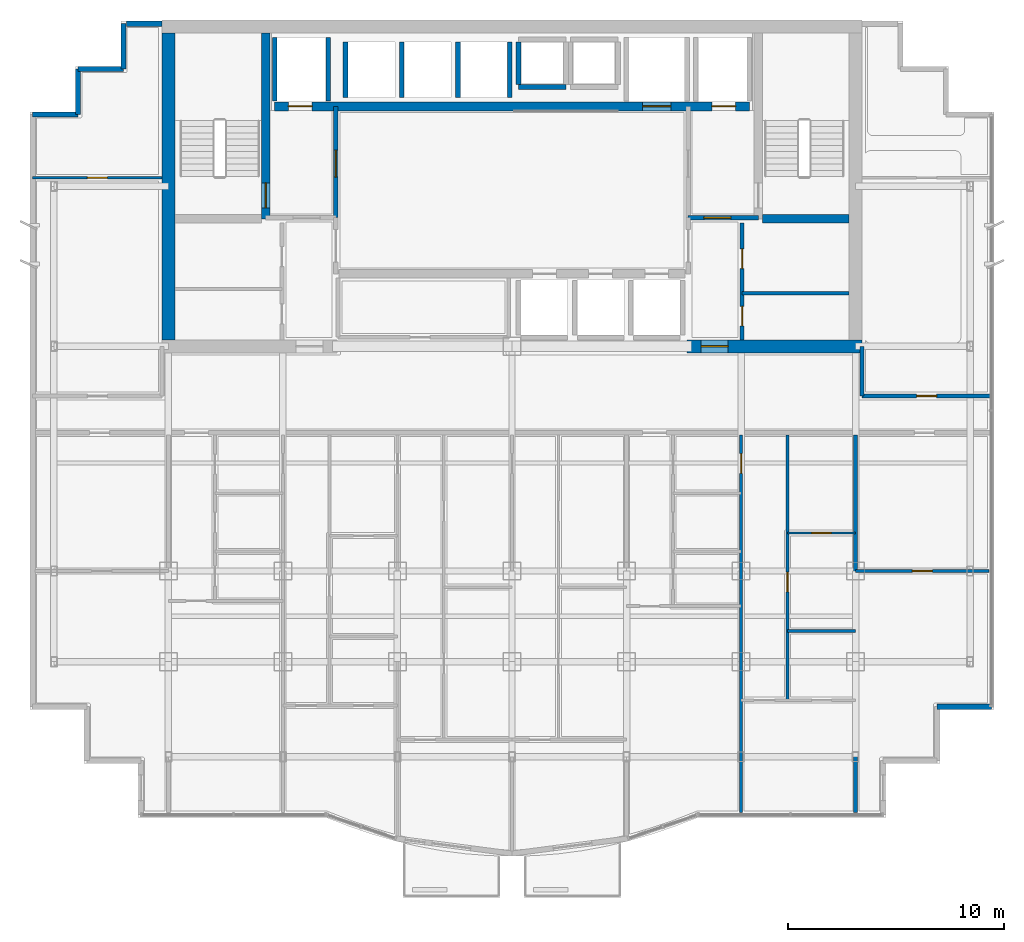
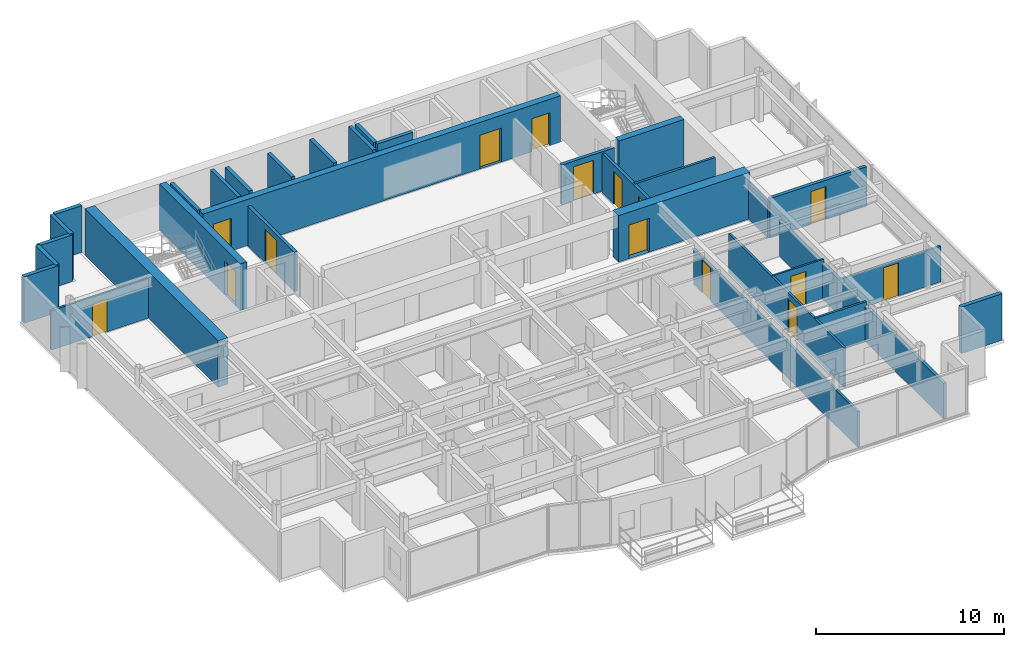
# One storey, part 10 of 13: 32 walls, 15 doors, 15 openings.
"""IFC4 building model written with IfcOpenShell, lengths in metres."""

from ifc_helpers import new_model, si_unit, direction, frame, frame_2d, origin, place, context, subcontext, project, spatial, rectangle, extrude, material, layer, layer_set, type_object, element, fill, save


model = new_model("IFC4")

# Units and contexts
model_context = context("Model", 3, precision=1e-05, world=origin(), true_north=direction((0.0, 1.0)))
body_context = subcontext(model_context, "Body", "Model", "MODEL_VIEW")
ifc_project = project(units=[si_unit("LENGTHUNIT", "METRE"), si_unit("AREAUNIT", "SQUARE_METRE"), si_unit("VOLUMEUNIT", "CUBIC_METRE"), si_unit("PLANEANGLEUNIT", "RADIAN"), si_unit("MASSUNIT", "GRAM", prefix="KILO")], contexts=[model_context])

# Site, building, storey
site_placement = place(None, origin())
site = spatial("IfcSite", under=ifc_project, at=site_placement, CompositionType="ELEMENT")
building_placement = place(site_placement, origin())
building = spatial("IfcBuilding", under=site, at=building_placement, Name="Qianlan Lanfeng Residences", CompositionType="ELEMENT")
storey_placement = place(building_placement, frame((0.0, 0.0, 182.10009765625)))
storey = spatial("IfcBuildingStorey", under=building, at=storey_placement, Name="L50", CompositionType="ELEMENT", Elevation=182.10009765625)

# Wall, opening, door
ifc_material_1 = material(Name="Concrete C56", Category="concrete")
ifc_layer_1 = layer(ifc_material_1, 0.39990234375)
ifc_layer_set_1 = layer_set([ifc_layer_1], Name="Concrete C56")
wall_type_1 = type_object("IfcWallType", Name="CW-RC-400", PredefinedType="SHEAR", material=ifc_layer_set_1)
wall_1_placement = place(storey_placement, frame((15.10009765625, 31.10009765625, 0.0), z_axis=(0.0, 0.0, 1.0), x_axis=(0.0, 1.0, 0.0)))
wall_1 = element("IfcWall", 1, at=wall_1_placement, inside=storey, type_object=wall_type_1, Name="L50 Core Shear Wall ST1E", PredefinedType="SHEAR", context=body_context, shape_type="SweptSolid", body=[
    extrude(rectangle(XDim=8.599853515625, YDim=0.39990234375, at=frame_2d((4.2998046875, 0.0))), origin(), (0.0, 0.0, 1.0), 3.02978515625),
])
opening_1_placement = place(wall_1_placement, frame((0.510009765625, 0.0, 0.0)))
opening_1 = element("IfcOpeningElement", 2, at=opening_1_placement, cuts=wall_1, Name="Opening L50-D07", PredefinedType="OPENING", context=body_context, shape_type="SweptSolid", body=[
    extrude(rectangle(XDim=1.14990234375, YDim=2.199951171875, at=frame_2d((0.574951171875, 1.10009765625))), frame((0.0, 0.2099609375, 0.0), z_axis=(0.0, -1.0, 0.0), x_axis=(1.0, 0.0, 0.0)), (0.0, 0.0, 1.0), 0.419921875),
])
ifc_material_2 = material(Name="Painted Galvanised Steel Fire Door", Category="steel")
door_type_1 = type_object("IfcDoorType", Name="DT-ST1", OperationType="NOTDEFINED", PredefinedType="DOOR", material=ifc_material_2)
door_1_placement = place(opening_1_placement, frame((1.14990234375, 0.0, 0.0), z_axis=(0.0, 0.0, 1.0), x_axis=(-1.0, 0.0, 0.0)))
door_1 = element("IfcDoor", 3, at=door_1_placement, inside=storey, type_object=door_type_1, Name="L50 Exit Stair ST-1 Door L50-D07 (DT-ST1)", OperationType="SINGLE_SWING_RIGHT", OverallHeight=2.199951171875, OverallWidth=1.14990234375, PredefinedType="DOOR", context=body_context, shape_type="SweptSolid", body=[
    extrude(rectangle(XDim=1.14990234375, YDim=2.199951171875, at=frame_2d((0.574951171875, 1.10009765625))), frame((0.0, 0.02490234375, 0.0), z_axis=(0.0, -1.0, 0.0), x_axis=(1.0, 0.0, 0.0)), (0.0, 0.0, 1.0), 0.050048828125),
])
fill(opening_1, door_1)

# Wall
wall_2_placement = place(storey_placement, frame((38.10009765625, 31.10009765625, 0.0), z_axis=(0.0, 0.0, 1.0), x_axis=(1.0, 0.0, 0.0)))
element("IfcWall", 4, at=wall_2_placement, inside=storey, type_object=wall_type_1, Name="L50 Core Shear Wall ST2S", PredefinedType="SHEAR", context=body_context, shape_type="SweptSolid", body=[
    extrude(rectangle(XDim=4.0, YDim=0.39990234375, at=frame_2d((2.0, 0.0))), origin(), (0.0, 0.0, 1.0), 3.02978515625),
])

# Wall, openings, doors
wall_3_placement = place(storey_placement, frame((15.5, 36.300048828125, 0.0), z_axis=(0.0, 0.0, 1.0), x_axis=(1.0, 0.0, 0.0)))
wall_3 = element("IfcWall", 5, at=wall_3_placement, inside=storey, type_object=wall_type_1, Name="L50 Core Shear Wall LBN", PredefinedType="SHEAR", context=body_context, shape_type="SweptSolid", body=[
    extrude(rectangle(XDim=22.0, YDim=0.39990234375, at=frame_2d((11.0, 0.0))), origin(), (0.0, 0.0, 1.0), 3.02978515625),
])
opening_2_placement = place(wall_3_placement, frame((0.64990234375, 0.0, 0.0)))
opening_2 = element("IfcOpeningElement", 6, at=opening_2_placement, cuts=wall_3, Name="Opening L50-LD-FFL-1", PredefinedType="OPENING", context=body_context, shape_type="SweptSolid", body=[
    extrude(rectangle(XDim=1.10009765625, YDim=2.14990234375, at=frame_2d((0.550048828125, 1.074951171875))), frame((0.0, 0.2099609375, 0.0), z_axis=(0.0, -1.0, 0.0), x_axis=(1.0, 0.0, 0.0)), (0.0, 0.0, 1.0), 0.419921875),
])
opening_3_placement = place(wall_3_placement, frame((20.25, 0.0, 0.0)))
opening_3 = element("IfcOpeningElement", 7, at=opening_3_placement, cuts=wall_3, Name="Opening L50-LD-FFL-2", PredefinedType="OPENING", context=body_context, shape_type="SweptSolid", body=[
    extrude(rectangle(XDim=1.10009765625, YDim=2.14990234375, at=frame_2d((0.550048828125, 1.074951171875))), frame((0.0, 0.2099609375, 0.0), z_axis=(0.0, -1.0, 0.0), x_axis=(1.0, 0.0, 0.0)), (0.0, 0.0, 1.0), 0.419921875),
])
opening_4_placement = place(wall_3_placement, frame((17.050048828125, 0.0, 0.0)))
opening_4 = element("IfcOpeningElement", 8, at=opening_4_placement, cuts=wall_3, Name="Opening L50-LD-SVL-1", PredefinedType="OPENING", context=body_context, shape_type="SweptSolid", body=[
    extrude(rectangle(XDim=1.300048828125, YDim=2.199951171875, at=frame_2d((0.64990234375, 1.10009765625))), frame((0.0, 0.2099609375, 0.0), z_axis=(0.0, -1.0, 0.0), x_axis=(1.0, 0.0, 0.0)), (0.0, 0.0, 1.0), 0.419921875),
])
ifc_material_3 = material(Name="Brushed Stainless Steel Sliding Lift Door", Category="steel")
door_type_2 = type_object("IfcDoorType", Name="LD-01", OperationType="NOTDEFINED", PredefinedType="DOOR", material=ifc_material_3)
door_2_placement = place(opening_2_placement, frame((1.10009765625, 0.0, 0.0), z_axis=(0.0, 0.0, 1.0), x_axis=(-1.0, 0.0, 0.0)))
door_2 = element("IfcDoor", 9, at=door_2_placement, inside=storey, type_object=door_type_2, Name="L50 Elevator FFL-1 Sliding Landing Door", OperationType="DOUBLE_DOOR_SLIDING", OverallHeight=2.14990234375, OverallWidth=1.10009765625, PredefinedType="DOOR", context=body_context, shape_type="SweptSolid", body=[
    extrude(rectangle(XDim=1.10009765625, YDim=2.14990234375, at=frame_2d((0.550048828125, 1.074951171875))), frame((0.0, 0.02490234375, 0.0), z_axis=(0.0, -1.0, 0.0), x_axis=(1.0, 0.0, 0.0)), (0.0, 0.0, 1.0), 0.050048828125),
])
fill(opening_2, door_2)
door_3_placement = place(opening_3_placement, frame((1.10009765625, 0.0, 0.0), z_axis=(0.0, 0.0, 1.0), x_axis=(-1.0, 0.0, 0.0)))
door_3 = element("IfcDoor", 10, at=door_3_placement, inside=storey, type_object=door_type_2, Name="L50 Elevator FFL-2 Sliding Landing Door", OperationType="DOUBLE_DOOR_SLIDING", OverallHeight=2.14990234375, OverallWidth=1.10009765625, PredefinedType="DOOR", context=body_context, shape_type="SweptSolid", body=[
    extrude(rectangle(XDim=1.10009765625, YDim=2.14990234375, at=frame_2d((0.550048828125, 1.074951171875))), frame((0.0, 0.02490234375, 0.0), z_axis=(0.0, -1.0, 0.0), x_axis=(1.0, 0.0, 0.0)), (0.0, 0.0, 1.0), 0.050048828125),
])
fill(opening_3, door_3)
door_type_3 = type_object("IfcDoorType", Name="LD-02", OperationType="NOTDEFINED", PredefinedType="DOOR", material=ifc_material_3)
door_4_placement = place(opening_4_placement, frame((1.300048828125, 0.0, 0.0), z_axis=(0.0, 0.0, 1.0), x_axis=(-1.0, 0.0, 0.0)))
door_4 = element("IfcDoor", 11, at=door_4_placement, inside=storey, type_object=door_type_3, Name="L50 Elevator SVL-1 Sliding Landing Door", OperationType="DOUBLE_DOOR_SLIDING", OverallHeight=2.199951171875, OverallWidth=1.300048828125, PredefinedType="DOOR", context=body_context, shape_type="SweptSolid", body=[
    extrude(rectangle(XDim=1.300048828125, YDim=2.199951171875, at=frame_2d((0.64990234375, 1.10009765625))), frame((0.0, 0.02490234375, 0.0), z_axis=(0.0, -1.0, 0.0), x_axis=(1.0, 0.0, 0.0)), (0.0, 0.0, 1.0), 0.050048828125),
])
fill(opening_4, door_4)

# Wall
ifc_layer_2 = layer(ifc_material_1, 0.60009765625)
ifc_layer_set_2 = layer_set([ifc_layer_2], Name="Concrete C56")
wall_type_2 = type_object("IfcWallType", Name="CW-RC-600", PredefinedType="SHEAR", material=ifc_layer_set_2)
wall_4_placement = place(storey_placement, frame((10.60009765625, 25.5, 0.0), z_axis=(0.0, 0.0, 1.0), x_axis=(0.0, 1.0, 0.0)))
element("IfcWall", 12, at=wall_4_placement, inside=storey, type_object=wall_type_2, Name="L50 Core Shear Wall W", PredefinedType="SHEAR", context=body_context, shape_type="SweptSolid", body=[
    extrude(rectangle(XDim=14.199951171875, YDim=0.60009765625, at=frame_2d((7.10009765625, 0.0))), origin(), (0.0, 0.0, 1.0), 3.02978515625),
])

# Wall, opening, door
wall_5_placement = place(storey_placement, frame((34.60009765625, 25.199951171875, 0.0), z_axis=(0.0, 0.0, 1.0), x_axis=(1.0, 0.0, 0.0)))
wall_5 = element("IfcWall", 13, at=wall_5_placement, inside=storey, type_object=wall_type_2, Name="L50 Core Shear Wall SE", PredefinedType="SHEAR", context=body_context, shape_type="SweptSolid", body=[
    extrude(rectangle(XDim=8.099853515625, YDim=0.60009765625, at=frame_2d((4.0498046875, 0.0))), origin(), (0.0, 0.0, 1.0), 3.02978515625),
])
opening_5_placement = place(wall_5_placement, frame((0.64990234375, 0.0, 0.0)))
opening_5 = element("IfcOpeningElement", 14, at=opening_5_placement, cuts=wall_5, Name="Opening L50-D02", PredefinedType="OPENING", context=body_context, shape_type="SweptSolid", body=[
    extrude(rectangle(XDim=1.25, YDim=2.199951171875, at=frame_2d((0.625, 1.10009765625))), frame((0.0, 0.31005859375, 0.0), z_axis=(0.0, -1.0, 0.0), x_axis=(1.0, 0.0, 0.0)), (0.0, 0.0, 1.0), 0.6201171875),
])
door_type_4 = type_object("IfcDoorType", Name="DT-FFL", OperationType="NOTDEFINED", PredefinedType="DOOR", material=ifc_material_2)
door_5_placement = place(opening_5_placement, frame((1.25, 0.0, 0.0), z_axis=(0.0, 0.0, 1.0), x_axis=(-1.0, 0.0, 0.0)))
door_5 = element("IfcDoor", 15, at=door_5_placement, inside=storey, type_object=door_type_4, Name="L50 East Core Lobby Smoke Door L50-D02 (DT-FFL)", OperationType="SINGLE_SWING_LEFT", OverallHeight=2.199951171875, OverallWidth=1.25, PredefinedType="DOOR", context=body_context, shape_type="SweptSolid", body=[
    extrude(rectangle(XDim=1.25, YDim=2.199951171875, at=frame_2d((0.625, 1.10009765625))), frame((0.0, 0.02490234375, 0.0), z_axis=(0.0, -1.0, 0.0), x_axis=(1.0, 0.0, 0.0)), (0.0, 0.0, 1.0), 0.050048828125),
])
fill(opening_5, door_5)

# Walls
ifc_material_4 = material(Name="Concrete C42", Category="concrete")
ifc_layer_3 = layer(ifc_material_4, 0.239990234375)
ifc_layer_set_3 = layer_set([ifc_layer_3], Name="Concrete C42")
wall_type_3 = type_object("IfcWallType", Name="EW-240", PredefinedType="SOLIDWALL", material=ifc_layer_set_3)
wall_6_placement = place(storey_placement, frame((46.179931640625, 8.52001953125, 0.0), z_axis=(0.0, 0.0, 1.0), x_axis=(1.0, 0.0, 0.0)))
element("IfcWall", 16, at=wall_6_placement, inside=storey, type_object=wall_type_3, Name="L50 Exterior Facade Spandrel Wall 10", PredefinedType="SOLIDWALL", context=body_context, shape_type="SweptSolid", body=[
    extrude(rectangle(XDim=2.5, YDim=0.239990234375, at=frame_2d((1.25, 0.0))), origin(), (0.0, 0.0, 1.0), 3.02978515625),
])
wall_7_placement = place(storey_placement, frame((10.300048828125, 40.1298828125, 0.0), z_axis=(0.0, 0.0, 1.0), x_axis=(-1.0, 0.0, 0.0)))
element("IfcWall", 17, at=wall_7_placement, inside=storey, type_object=wall_type_3, Name="L50 North Wing Exterior Wall W", PredefinedType="SOLIDWALL", context=body_context, shape_type="SweptSolid", body=[
    extrude(rectangle(XDim=1.650146484375, YDim=0.239990234375, at=frame_2d((0.8251953125, 0.0))), origin(), (0.0, 0.0, 1.0), 3.02978515625),
])
wall_8_placement = place(storey_placement, frame((8.52001953125, 40.1298828125, 0.0), z_axis=(0.0, 0.0, 1.0), x_axis=(0.0, -1.0, 0.0)))
element("IfcWall", 18, at=wall_8_placement, inside=storey, type_object=wall_type_3, Name="L50 Exterior Facade Spandrel Wall 17", PredefinedType="SOLIDWALL", context=body_context, shape_type="SweptSolid", body=[
    extrude(rectangle(XDim=2.099853515625, YDim=0.239990234375, at=frame_2d((1.0498046875, 0.0))), origin(), (0.0, 0.0, 1.0), 3.02978515625),
])
for number, where, z_axis, x_axis, name in (
    (19, (8.52001953125, 38.030029296875, 0.0), (0.0, 0.0, 1.0), (-1.0, 0.0, 0.0), "L50 Exterior Facade Spandrel Wall 18"),
    (20, (6.419921875, 38.030029296875, 0.0), (0.0, 0.0, 1.0), (0.0, -1.0, 0.0), "L50 Exterior Facade Spandrel Wall 19"),
):
    element("IfcWall", number, at=place(storey_placement, frame(where, z_axis=z_axis, x_axis=x_axis)), inside=storey, type_object=wall_type_3, Name=name, PredefinedType="SOLIDWALL", context=body_context, shape_type="SweptSolid", body=[
        extrude(rectangle(XDim=2.10009765625, YDim=0.239990234375, at=frame_2d((1.050048828125, 0.0))), origin(), (0.0, 0.0, 1.0), 3.02978515625),
    ])
wall_9_placement = place(storey_placement, frame((6.419921875, 35.929931640625, 0.0), z_axis=(0.0, 0.0, 1.0), x_axis=(-1.0, 0.0, 0.0)))
element("IfcWall", 21, at=wall_9_placement, inside=storey, type_object=wall_type_3, Name="L50 Exterior Facade Spandrel Wall 20", PredefinedType="SOLIDWALL", context=body_context, shape_type="SweptSolid", body=[
    extrude(rectangle(XDim=2.099853515625, YDim=0.239990234375, at=frame_2d((1.0498046875, 0.0))), origin(), (0.0, 0.0, 1.0), 3.02978515625),
])

# Wall, opening, door
ifc_material_5 = material(Name="Demountable Acoustic Framing Partition 110 mm")
ifc_layer_4 = layer(ifc_material_5, 0.110107421875)
ifc_layer_set_4 = layer_set([ifc_layer_4], Name="Demountable Acoustic Framing Partition 110 mm")
wall_type_4 = type_object("IfcWallType", Name="PW-110", PredefinedType="MOVABLE", material=ifc_layer_set_4)
wall_10_placement = place(storey_placement, frame((39.25, 16.56005859375, 0.0), z_axis=(0.0, 0.0, 1.0), x_axis=(1.0, 0.0, 0.0)))
wall_10 = element("IfcWall", 22, at=wall_10_placement, inside=storey, type_object=wall_type_4, Name="L50 U02 Wardrobe Split", PredefinedType="MOVABLE", context=body_context, shape_type="SweptSolid", body=[
    extrude(rectangle(XDim=3.14990234375, YDim=0.110107421875, at=frame_2d((1.574951171875, 0.0))), origin(), (0.0, 0.0, 1.0), 2.56982421875),
])
opening_6_placement = place(wall_10_placement, frame((1.114990234375, 0.0, 0.0)))
opening_6 = element("IfcOpeningElement", 23, at=opening_6_placement, cuts=wall_10, Name="Opening L50-D43", PredefinedType="OPENING", context=body_context, shape_type="SweptSolid", body=[
    extrude(rectangle(XDim=0.919921875, YDim=2.14990234375, at=frame_2d((0.4599609375, 1.074951171875))), frame((0.0, 0.06494140625, 0.0), z_axis=(0.0, -1.0, 0.0), x_axis=(1.0, 0.0, 0.0)), (0.0, 0.0, 1.0), 0.130126953125),
])
ifc_material_6 = material(Name="Glazed Timber Kitchen/Study Door", Category="wood")
door_type_5 = type_object("IfcDoorType", Name="DT-INT", OperationType="NOTDEFINED", PredefinedType="DOOR", material=ifc_material_6)
door_6_placement = place(opening_6_placement, origin())
door_6 = element("IfcDoor", 24, at=door_6_placement, inside=storey, type_object=door_type_5, Name="L50 U02 Dressing Inner Door L50-D43 (DT-INT)", OperationType="SINGLE_SWING_RIGHT", OverallHeight=2.14990234375, OverallWidth=0.919921875, PredefinedType="DOOR", context=body_context, shape_type="SweptSolid", body=[
    extrude(rectangle(XDim=0.919921875, YDim=2.14990234375, at=frame_2d((0.4599609375, 1.074951171875))), frame((0.0, 0.02490234375, 0.0), z_axis=(0.0, -1.0, 0.0), x_axis=(1.0, 0.0, 0.0)), (0.0, 0.0, 1.0), 0.050048828125),
])
fill(opening_6, door_6)

ifc_material_7 = material(Name="Moisture-Resistant Gypsum Partition 135 mm")
ifc_layer_5 = layer(ifc_material_7, 0.135009765625)
ifc_layer_set_5 = layer_set([ifc_layer_5], Name="Moisture-Resistant Gypsum Partition 135 mm")
wall_type_5 = type_object("IfcWallType", Name="PW-135", PredefinedType="PARTITIONING", material=ifc_layer_set_5)
wall_11_placement = place(storey_placement, frame((37.10009765625, 3.6201171875, 0.0), z_axis=(0.0, 0.0, 1.0), x_axis=(0.0, 1.0, 0.0)))
wall_11 = element("IfcWall", 25, at=wall_11_placement, inside=storey, type_object=wall_type_5, Name="L50 U02 Bay Spine Wall 1", PredefinedType="PARTITIONING", context=body_context, shape_type="SweptSolid", body=[
    extrude(rectangle(XDim=17.47998046875, YDim=0.135009765625, at=frame_2d((8.739990234375, 0.0))), origin(), (0.0, 0.0, 1.0), 2.324951171875),
])
opening_7_placement = place(wall_11_placement, frame((15.695068359375, 0.0, 0.0)))
opening_7 = element("IfcOpeningElement", 26, at=opening_7_placement, cuts=wall_11, Name="Opening L50-D35", PredefinedType="OPENING", context=body_context, shape_type="SweptSolid", body=[
    extrude(rectangle(XDim=0.919921875, YDim=2.14990234375, at=frame_2d((0.4599609375, 1.074951171875))), frame((0.0, 0.07763671875, 0.0), z_axis=(0.0, -1.0, 0.0), x_axis=(1.0, 0.0, 0.0)), (0.0, 0.0, 1.0), 0.155029296875),
])
door_7_placement = place(opening_7_placement, origin())
door_7 = element("IfcDoor", 27, at=door_7_placement, inside=storey, type_object=door_type_5, Name="L50 U02 Internal Hall Door L50-D35 (DT-INT)", OperationType="SINGLE_SWING_RIGHT", OverallHeight=2.14990234375, OverallWidth=0.919921875, PredefinedType="DOOR", context=body_context, shape_type="SweptSolid", body=[
    extrude(rectangle(XDim=0.919921875, YDim=2.14990234375, at=frame_2d((0.4599609375, 1.074951171875))), frame((0.0, 0.02490234375, 0.0), z_axis=(0.0, -1.0, 0.0), x_axis=(1.0, 0.0, 0.0)), (0.0, 0.0, 1.0), 0.050048828125),
])
fill(opening_7, door_7)

wall_12_placement = place(storey_placement, frame((39.25, 8.820068359375, 0.0), z_axis=(0.0, 0.0, 1.0), x_axis=(0.0, 1.0, 0.0)))
wall_12 = element("IfcWall", 28, at=wall_12_placement, inside=storey, type_object=wall_type_5, Name="L50 U02 Master Passage Wall", PredefinedType="PARTITIONING", context=body_context, shape_type="SweptSolid", body=[
    extrude(rectangle(XDim=12.280029296875, YDim=0.135009765625, at=frame_2d((6.14013671875, 0.0))), origin(), (0.0, 0.0, 1.0), 2.56982421875),
])
opening_8_placement = place(wall_12_placement, frame((5.010009765625, 0.0, 0.0)))
opening_8 = element("IfcOpeningElement", 29, at=opening_8_placement, cuts=wall_12, Name="Opening L50-D42", PredefinedType="OPENING", context=body_context, shape_type="SweptSolid", body=[
    extrude(rectangle(XDim=0.919921875, YDim=2.14990234375, at=frame_2d((0.4599609375, 1.074951171875))), frame((0.0, 0.07763671875, 0.0), z_axis=(0.0, -1.0, 0.0), x_axis=(1.0, 0.0, 0.0)), (0.0, 0.0, 1.0), 0.155029296875),
])
door_8_placement = place(opening_8_placement, origin())
door_8 = element("IfcDoor", 30, at=door_8_placement, inside=storey, type_object=door_type_5, Name="L50 U02 Wardrobe Door L50-D42 (DT-INT)", OperationType="SINGLE_SWING_LEFT", OverallHeight=2.14990234375, OverallWidth=0.919921875, PredefinedType="DOOR", context=body_context, shape_type="SweptSolid", body=[
    extrude(rectangle(XDim=0.919921875, YDim=2.14990234375, at=frame_2d((0.4599609375, 1.074951171875))), frame((0.0, 0.02490234375, 0.0), z_axis=(0.0, -1.0, 0.0), x_axis=(1.0, 0.0, 0.0)), (0.0, 0.0, 1.0), 0.050048828125),
])
fill(opening_8, door_8)

# Wall
wall_13_placement = place(storey_placement, frame((39.25, 12.02001953125, 0.0), z_axis=(0.0, 0.0, 1.0), x_axis=(1.0, 0.0, 0.0)))
element("IfcWall", 31, at=wall_13_placement, inside=storey, type_object=wall_type_5, Name="L50 U02 En-Suite North Wall", PredefinedType="PARTITIONING", context=body_context, shape_type="SweptSolid", body=[
    extrude(rectangle(XDim=3.14990234375, YDim=0.135009765625, at=frame_2d((1.574951171875, 0.0))), origin(), (0.0, 0.0, 1.0), 2.56982421875),
])

# Wall, opening, door
wall_14_placement = place(storey_placement, frame((42.39990234375, 14.800048828125, 0.0), z_axis=(0.0, 0.0, 1.0), x_axis=(1.0, 0.0, 0.0)))
wall_14 = element("IfcWall", 32, at=wall_14_placement, inside=storey, type_object=wall_type_5, Name="L50 SEP Mid Partition", PredefinedType="PARTITIONING", context=body_context, shape_type="SweptSolid", body=[
    extrude(rectangle(XDim=6.18017578125, YDim=0.135009765625, at=frame_2d((3.090087890625, 0.0))), origin(), (0.0, 0.0, 1.0), 2.324951171875),
])
opening_9_placement = place(wall_14_placement, frame((2.6298828125, 0.0, 0.0)))
opening_9 = element("IfcOpeningElement", 33, at=opening_9_placement, cuts=wall_14, Name="Opening L50-D46", PredefinedType="OPENING", context=body_context, shape_type="SweptSolid", body=[
    extrude(rectangle(XDim=0.919921875, YDim=2.14990234375, at=frame_2d((0.4599609375, 1.074951171875))), frame((0.0, 0.07763671875, 0.0), z_axis=(0.0, -1.0, 0.0), x_axis=(1.0, 0.0, 0.0)), (0.0, 0.0, 1.0), 0.155029296875),
])
door_9_placement = place(opening_9_placement, origin())
door_9 = element("IfcDoor", 34, at=door_9_placement, inside=storey, type_object=door_type_5, Name="L50 SEP Inner Door L50-D46 (DT-INT)", OperationType="SINGLE_SWING_LEFT", OverallHeight=2.14990234375, OverallWidth=0.919921875, PredefinedType="DOOR", context=body_context, shape_type="SweptSolid", body=[
    extrude(rectangle(XDim=0.919921875, YDim=2.14990234375, at=frame_2d((0.4599609375, 1.074951171875))), frame((0.0, 0.02490234375, 0.0), z_axis=(0.0, -1.0, 0.0), x_axis=(1.0, 0.0, 0.0)), (0.0, 0.0, 1.0), 0.050048828125),
])
fill(opening_9, door_9)

wall_15_placement = place(storey_placement, frame((4.320068359375, 33.0, 0.0), z_axis=(0.0, 0.0, 1.0), x_axis=(1.0, 0.0, 0.0)))
wall_15 = element("IfcWall", 35, at=wall_15_placement, inside=storey, type_object=wall_type_5, Name="L50 WW North Wing Wall", PredefinedType="PARTITIONING", context=body_context, shape_type="SweptSolid", body=[
    extrude(rectangle(XDim=5.97998046875, YDim=0.135009765625, at=frame_2d((2.989990234375, 0.0))), origin(), (0.0, 0.0, 1.0), 2.56982421875),
])
opening_10_placement = place(wall_15_placement, frame((2.530029296875, 0.0, 0.0)))
opening_10 = element("IfcOpeningElement", 36, at=opening_10_placement, cuts=wall_15, Name="Opening L50-D48", PredefinedType="OPENING", context=body_context, shape_type="SweptSolid", body=[
    extrude(rectangle(XDim=0.919921875, YDim=2.14990234375, at=frame_2d((0.4599609375, 1.074951171875))), frame((0.0, 0.07763671875, 0.0), z_axis=(0.0, -1.0, 0.0), x_axis=(1.0, 0.0, 0.0)), (0.0, 0.0, 1.0), 0.155029296875),
])
door_10_placement = place(opening_10_placement, origin())
door_10 = element("IfcDoor", 37, at=door_10_placement, inside=storey, type_object=door_type_5, Name="L50 WW Inner Salon Door L50-D48 (DT-INT)", OperationType="SINGLE_SWING_LEFT", OverallHeight=2.14990234375, OverallWidth=0.919921875, PredefinedType="DOOR", context=body_context, shape_type="SweptSolid", body=[
    extrude(rectangle(XDim=0.919921875, YDim=2.14990234375, at=frame_2d((0.4599609375, 1.074951171875))), frame((0.0, 0.02490234375, 0.0), z_axis=(0.0, -1.0, 0.0), x_axis=(1.0, 0.0, 0.0)), (0.0, 0.0, 1.0), 0.050048828125),
])
fill(opening_10, door_10)

# Wall
ifc_material_8 = material(Name="Acoustic Drywall Partition 150 mm")
ifc_layer_6 = layer(ifc_material_8, 0.14990234375)
ifc_layer_set_6 = layer_set([ifc_layer_6], Name="Acoustic Drywall Partition 150 mm")
wall_type_6 = type_object("IfcWallType", Name="PW-150", PredefinedType="PARTITIONING", material=ifc_layer_set_6)
wall_16_placement = place(storey_placement, frame((37.14990234375, 27.64990234375, 0.0), z_axis=(0.0, 0.0, 1.0), x_axis=(1.0, 0.0, 0.0)))
element("IfcWall", 38, at=wall_16_placement, inside=storey, type_object=wall_type_6, Name="L50 Core East Split", PredefinedType="PARTITIONING", context=body_context, shape_type="SweptSolid", body=[
    extrude(rectangle(XDim=4.9501953125, YDim=0.14990234375, at=frame_2d((2.47509765625, 0.0))), origin(), (0.0, 0.0, 1.0), 2.56982421875),
])

# Wall, openings, doors
ifc_material_9 = material(Name="Double-Layer Acoustic Gypsum Stud Wall 180 mm")
ifc_layer_7 = layer(ifc_material_9, 0.179931640625)
ifc_layer_set_7 = layer_set([ifc_layer_7], Name="Double-Layer Acoustic Gypsum Stud Wall 180 mm")
wall_type_7 = type_object("IfcWallType", Name="PW-180", PredefinedType="PARTITIONING", material=ifc_layer_set_7)
wall_17_placement = place(storey_placement, frame((37.14990234375, 25.5, 0.0), z_axis=(0.0, 0.0, 1.0), x_axis=(0.0, 1.0, 0.0)))
wall_17 = element("IfcWall", 39, at=wall_17_placement, inside=storey, type_object=wall_type_7, Name="L50 Core East Service Room Wall", PredefinedType="PARTITIONING", context=body_context, shape_type="SweptSolid", body=[
    extrude(rectangle(XDim=5.39990234375, YDim=0.179931640625, at=frame_2d((2.699951171875, 0.0))), origin(), (0.0, 0.0, 1.0), 2.56982421875),
])
opening_11_placement = place(wall_17_placement, frame((0.64990234375, 0.0, 0.0)))
opening_11 = element("IfcOpeningElement", 40, at=opening_11_placement, cuts=wall_17, Name="Opening L50-D11", PredefinedType="OPENING", context=body_context, shape_type="SweptSolid", body=[
    extrude(rectangle(XDim=0.89990234375, YDim=2.14990234375, at=frame_2d((0.449951171875, 1.074951171875))), frame((0.0, 0.10009765625, 0.0), z_axis=(0.0, -1.0, 0.0), x_axis=(1.0, 0.0, 0.0)), (0.0, 0.0, 1.0), 0.199951171875),
])
opening_12_placement = place(wall_17_placement, frame((3.2900390625, 0.0, 0.0)))
opening_12 = element("IfcOpeningElement", 41, at=opening_12_placement, cuts=wall_17, Name="Opening L50-D12", PredefinedType="OPENING", context=body_context, shape_type="SweptSolid", body=[
    extrude(rectangle(XDim=0.919921875, YDim=2.14990234375, at=frame_2d((0.4599609375, 1.074951171875))), frame((0.0, 0.10009765625, 0.0), z_axis=(0.0, -1.0, 0.0), x_axis=(1.0, 0.0, 0.0)), (0.0, 0.0, 1.0), 0.199951171875),
])
door_11_placement = place(opening_12_placement, origin())
door_11 = element("IfcDoor", 42, at=door_11_placement, inside=storey, type_object=door_type_5, Name="L50 Refuse Room Door L50-D12 (DT-INT)", OperationType="SINGLE_SWING_LEFT", OverallHeight=2.14990234375, OverallWidth=0.919921875, PredefinedType="DOOR", context=body_context, shape_type="SweptSolid", body=[
    extrude(rectangle(XDim=0.919921875, YDim=2.14990234375, at=frame_2d((0.4599609375, 1.074951171875))), frame((0.0, 0.02490234375, 0.0), z_axis=(0.0, -1.0, 0.0), x_axis=(1.0, 0.0, 0.0)), (0.0, 0.0, 1.0), 0.050048828125),
])
fill(opening_12, door_11)
ifc_material_10 = material(Name="Moisture-Resistant Timber Leaf", Category="wood")
door_type_6 = type_object("IfcDoorType", Name="DT-WC", OperationType="NOTDEFINED", PredefinedType="DOOR", material=ifc_material_10)
door_12_placement = place(opening_11_placement, origin())
door_12 = element("IfcDoor", 43, at=door_12_placement, inside=storey, type_object=door_type_6, Name="L50 Core WC Door L50-D11 (DT-WC)", OperationType="SINGLE_SWING_LEFT", OverallHeight=2.14990234375, OverallWidth=0.89990234375, PredefinedType="DOOR", context=body_context, shape_type="SweptSolid", body=[
    extrude(rectangle(XDim=0.89990234375, YDim=2.14990234375, at=frame_2d((0.449951171875, 1.074951171875))), frame((0.0, 0.02490234375, 0.0), z_axis=(0.0, -1.0, 0.0), x_axis=(1.0, 0.0, 0.0)), (0.0, 0.0, 1.0), 0.050048828125),
])
fill(opening_11, door_12)

# Wall
wall_18_placement = place(storey_placement, frame((42.39990234375, 3.6201171875, 0.0), z_axis=(0.0, 0.0, 1.0), x_axis=(0.0, 1.0, 0.0)))
element("IfcWall", 44, at=wall_18_placement, inside=storey, type_object=wall_type_7, Name="L50 Wing Boundary Party Wall E0", PredefinedType="PARTITIONING", context=body_context, shape_type="SweptSolid", body=[
    extrude(rectangle(XDim=17.47998046875, YDim=0.179931640625, at=frame_2d((8.739990234375, 0.0))), origin(), (0.0, 0.0, 1.0), 2.324951171875),
])

# Wall, opening, door
ifc_material_11 = material(Name="Autoclaved Aerated Concrete Blockwork 200 mm", Category="masonry")
ifc_layer_8 = layer(ifc_material_11, 0.199951171875)
ifc_layer_set_8 = layer_set([ifc_layer_8], Name="Autoclaved Aerated Concrete Blockwork 200 mm")
wall_type_8 = type_object("IfcWallType", Name="PW-200", PredefinedType="PARTITIONING", material=ifc_layer_set_8)
wall_19_placement = place(storey_placement, frame((18.35009765625, 31.14990234375, 0.0), z_axis=(0.0, 0.0, 1.0), x_axis=(0.0, 1.0, 0.0)))
wall_19 = element("IfcWall", 45, at=wall_19_placement, inside=storey, type_object=wall_type_8, Name="L50 Firefighting Lobby 1 East Wall", PredefinedType="PARTITIONING", context=body_context, shape_type="SweptSolid", body=[
    extrude(rectangle(XDim=5.150146484375, YDim=0.199951171875, at=frame_2d((2.5751953125, 0.0))), origin(), (0.0, 0.0, 1.0), 2.56982421875),
])
opening_13_placement = place(wall_19_placement, frame((1.875, 0.0, 0.0)))
opening_13 = element("IfcOpeningElement", 46, at=opening_13_placement, cuts=wall_19, Name="Opening L50-D04", PredefinedType="OPENING", context=body_context, shape_type="SweptSolid", body=[
    extrude(rectangle(XDim=1.25, YDim=2.199951171875, at=frame_2d((0.625, 1.10009765625))), frame((0.0, 0.10986328125, 0.0), z_axis=(0.0, -1.0, 0.0), x_axis=(1.0, 0.0, 0.0)), (0.0, 0.0, 1.0), 0.219970703125),
])
door_13_placement = place(opening_13_placement, origin())
door_13 = element("IfcDoor", 47, at=door_13_placement, inside=storey, type_object=door_type_4, Name="L50 Firefighting Lobby 1 Lift Lobby Door L50-D04 (DT-FFL)", OperationType="SINGLE_SWING_LEFT", OverallHeight=2.199951171875, OverallWidth=1.25, PredefinedType="DOOR", context=body_context, shape_type="SweptSolid", body=[
    extrude(rectangle(XDim=1.25, YDim=2.199951171875, at=frame_2d((0.625, 1.10009765625))), frame((0.0, 0.02490234375, 0.0), z_axis=(0.0, -1.0, 0.0), x_axis=(1.0, 0.0, 0.0)), (0.0, 0.0, 1.0), 0.050048828125),
])
fill(opening_13, door_13)

wall_20_placement = place(storey_placement, frame((34.64990234375, 31.14990234375, 0.0), z_axis=(0.0, 0.0, 1.0), x_axis=(1.0, 0.0, 0.0)))
wall_20 = element("IfcWall", 48, at=wall_20_placement, inside=storey, type_object=wall_type_8, Name="L50 Firefighting Lobby 2 South Wall", PredefinedType="PARTITIONING", context=body_context, shape_type="SweptSolid", body=[
    extrude(rectangle(XDim=3.25, YDim=0.199951171875, at=frame_2d((1.625, 0.0))), origin(), (0.0, 0.0, 1.0), 2.56982421875),
])
opening_14_placement = place(wall_20_placement, frame((0.72509765625, 0.0, 0.0)))
opening_14 = element("IfcOpeningElement", 49, at=opening_14_placement, cuts=wall_20, Name="Opening L50-D05", PredefinedType="OPENING", context=body_context, shape_type="SweptSolid", body=[
    extrude(rectangle(XDim=1.25, YDim=2.199951171875, at=frame_2d((0.625, 1.10009765625))), frame((0.0, 0.10986328125, 0.0), z_axis=(0.0, -1.0, 0.0), x_axis=(1.0, 0.0, 0.0)), (0.0, 0.0, 1.0), 0.219970703125),
])
door_14_placement = place(opening_14_placement, origin())
door_14 = element("IfcDoor", 50, at=door_14_placement, inside=storey, type_object=door_type_4, Name="L50 Firefighting Lobby 2 Entry Door L50-D05 (DT-FFL)", OperationType="SINGLE_SWING_RIGHT", OverallHeight=2.199951171875, OverallWidth=1.25, PredefinedType="DOOR", context=body_context, shape_type="SweptSolid", body=[
    extrude(rectangle(XDim=1.25, YDim=2.199951171875, at=frame_2d((0.625, 1.10009765625))), frame((0.0, 0.02490234375, 0.0), z_axis=(0.0, -1.0, 0.0), x_axis=(1.0, 0.0, 0.0)), (0.0, 0.0, 1.0), 0.050048828125),
])
fill(opening_14, door_14)

wall_21_placement = place(storey_placement, frame((42.699951171875, 22.89990234375, 0.0), z_axis=(0.0, 0.0, 1.0), x_axis=(1.0, 0.0, 0.0)))
wall_21 = element("IfcWall", 51, at=wall_21_placement, inside=storey, type_object=wall_type_8, Name="L50 Corridor NE Wall", PredefinedType="PARTITIONING", context=body_context, shape_type="SweptSolid", body=[
    extrude(rectangle(XDim=5.97998046875, YDim=0.199951171875, at=frame_2d((2.989990234375, 0.0))), origin(), (0.0, 0.0, 1.0), 2.56982421875),
])
opening_15_placement = place(wall_21_placement, frame((2.530029296875, 0.0, 0.0)))
opening_15 = element("IfcOpeningElement", 52, at=opening_15_placement, cuts=wall_21, Name="Opening L50-D51", PredefinedType="OPENING", context=body_context, shape_type="SweptSolid", body=[
    extrude(rectangle(XDim=0.919921875, YDim=2.14990234375, at=frame_2d((0.4599609375, 1.074951171875))), frame((0.0, 0.10986328125, 0.0), z_axis=(0.0, -1.0, 0.0), x_axis=(1.0, 0.0, 0.0)), (0.0, 0.0, 1.0), 0.219970703125),
])
door_15_placement = place(opening_15_placement, origin())
door_15 = element("IfcDoor", 53, at=door_15_placement, inside=storey, type_object=door_type_5, Name="L50 EW Amenity Salon Door L50-D51 (DT-INT)", OperationType="SINGLE_SWING_RIGHT", OverallHeight=2.14990234375, OverallWidth=0.919921875, PredefinedType="DOOR", context=body_context, shape_type="SweptSolid", body=[
    extrude(rectangle(XDim=0.919921875, YDim=2.14990234375, at=frame_2d((0.4599609375, 1.074951171875))), frame((0.0, 0.02490234375, 0.0), z_axis=(0.0, -1.0, 0.0), x_axis=(1.0, 0.0, 0.0)), (0.0, 0.0, 1.0), 0.050048828125),
])
fill(opening_15, door_15)

# Walls
wall_22_placement = place(storey_placement, frame((42.699951171875, 22.89990234375, 0.0), z_axis=(0.0, 0.0, 1.0), x_axis=(0.0, 1.0, 0.0)))
element("IfcWall", 54, at=wall_22_placement, inside=storey, type_object=wall_type_8, Name="L50 NE Wing Core Return Wall", PredefinedType="PARTITIONING", context=body_context, shape_type="SweptSolid", body=[
    extrude(rectangle(XDim=2.300048828125, YDim=0.199951171875, at=frame_2d((1.14990234375, 0.0))), origin(), (0.0, 0.0, 1.0), 2.324951171875),
])
ifc_material_12 = material(Name="Concrete C49", Category="concrete")
ifc_layer_9 = layer(ifc_material_12, 0.219970703125)
ifc_layer_set_9 = layer_set([ifc_layer_9], Name="Concrete C49")
wall_type_9 = type_object("IfcWallType", Name="SHW-220", PredefinedType="SOLIDWALL", material=ifc_layer_set_9)
for number, where, z_axis, x_axis, name in (
    (55, (15.52001953125, 36.550048828125, 0.0), (0.0, 0.0, 1.0), (0.0, 1.0, 0.0), "L50 Lift FFL-1 Shaft Wall W"),
    (56, (18.0, 36.550048828125, 0.0), (0.0, 0.0, 1.0), (0.0, 1.0, 0.0), "L50 Lift FFL-1 Shaft Wall E"),
):
    element("IfcWall", number, at=place(storey_placement, frame(where, z_axis=z_axis, x_axis=x_axis)), inside=storey, type_object=wall_type_9, Name=name, PredefinedType="SOLIDWALL", context=body_context, shape_type="SweptSolid", body=[
        extrude(rectangle(XDim=2.929931640625, YDim=0.219970703125, at=frame_2d((1.46484375, 0.0))), origin(), (0.0, 0.0, 1.0), 3.02978515625),
    ])
for number, where, z_axis, x_axis, name in (
    (57, (18.800048828125, 36.719970703125, 0.0), (0.0, 0.0, 1.0), (0.0, 1.0, 0.0), "L50 Lift PL-H1 Shaft Wall W"),
    (58, (21.39990234375, 36.719970703125, 0.0), (0.0, 0.0, 1.0), (0.0, 1.0, 0.0), "L50 Lift PL-H2 Shaft Wall W"),
    (59, (24.0, 36.719970703125, 0.0), (0.0, 0.0, 1.0), (0.0, 1.0, 0.0), "L50 Lift PL-H3 Shaft Wall W"),
    (60, (26.39990234375, 36.719970703125, 0.0), (0.0, 0.0, 1.0), (0.0, 1.0, 0.0), "L50 Lift PL-H3 Shaft Wall E"),
):
    element("IfcWall", number, at=place(storey_placement, frame(where, z_axis=z_axis, x_axis=x_axis)), inside=storey, type_object=wall_type_9, Name=name, PredefinedType="SOLIDWALL", context=body_context, shape_type="SweptSolid", body=[
        extrude(rectangle(XDim=2.56005859375, YDim=0.219970703125, at=frame_2d((1.280029296875, 0.0))), origin(), (0.0, 0.0, 1.0), 3.02978515625),
    ])
wall_23_placement = place(storey_placement, frame((26.800048828125, 37.31005859375, 0.0), z_axis=(0.0, 0.0, 1.0), x_axis=(0.0, 1.0, 0.0)))
element("IfcWall", 61, at=wall_23_placement, inside=storey, type_object=wall_type_9, Name="L50 MEP Riser MEP-R1 Shaft Wall W", PredefinedType="SOLIDWALL", context=body_context, shape_type="SweptSolid", body=[
    extrude(rectangle(XDim=1.97998046875, YDim=0.219970703125, at=frame_2d((0.989990234375, 0.0))), origin(), (0.0, 0.0, 1.0), 3.02978515625),
])
wall_24_placement = place(storey_placement, frame((26.800048828125, 37.199951171875, 0.0), z_axis=(0.0, 0.0, 1.0), x_axis=(1.0, 0.0, 0.0)))
element("IfcWall", 62, at=wall_24_placement, inside=storey, type_object=wall_type_9, Name="L50 MEP Riser MEP-R1 Shaft Wall S", PredefinedType="SOLIDWALL", context=body_context, shape_type="SweptSolid", body=[
    extrude(rectangle(XDim=2.199951171875, YDim=0.219970703125, at=frame_2d((1.10009765625, 0.0))), origin(), (0.0, 0.0, 1.0), 3.02978515625),
])

save(model, "model.ifc")
